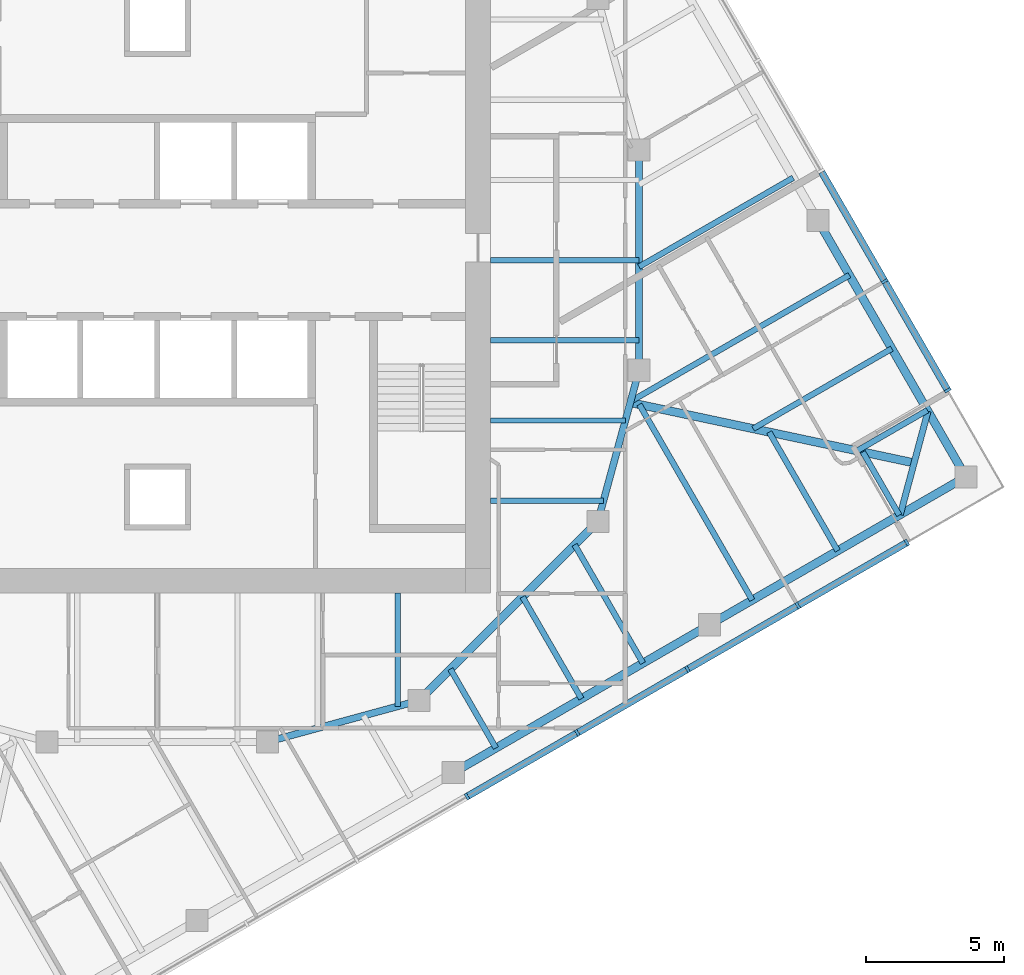
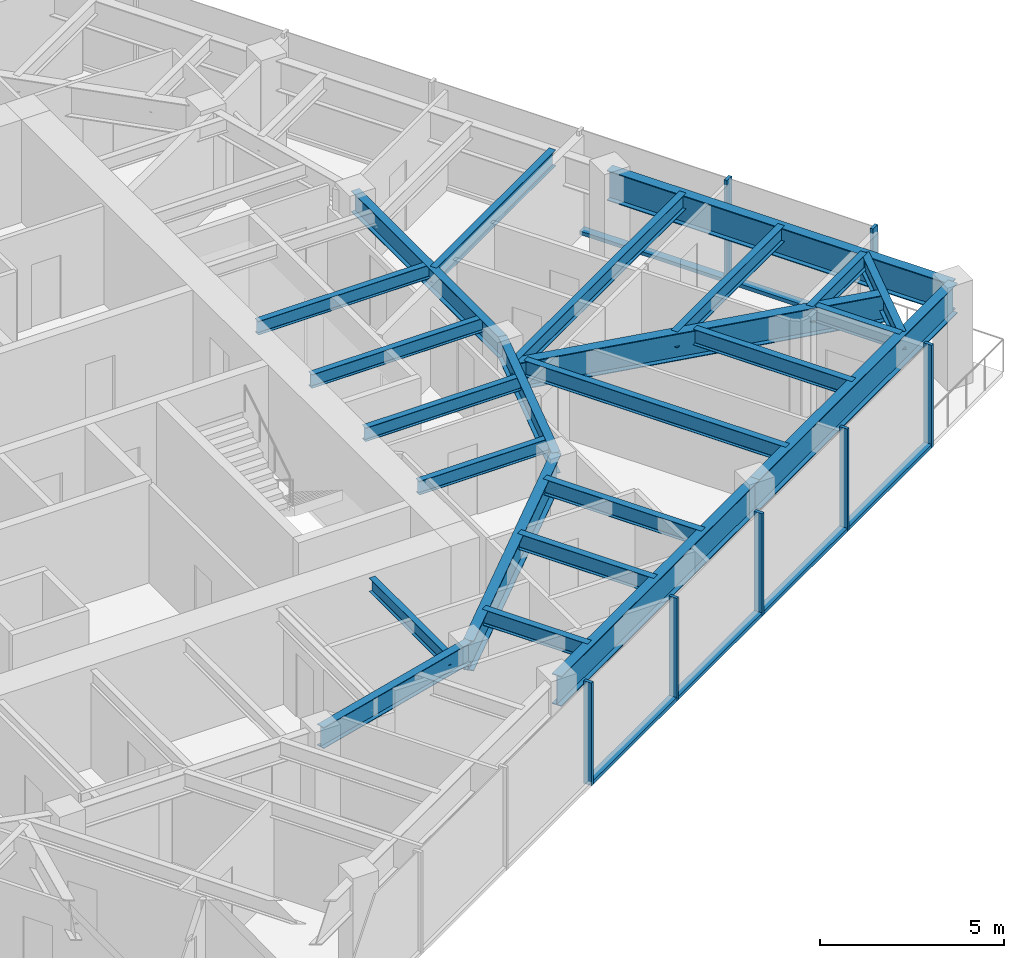
# One storey, part 3 of 13: 24 beams, 13 members, 2 elements without a shape of their own.
"""IFC4 building model written with IfcOpenShell, lengths in metres."""

from ifc_helpers import new_model, si_unit, direction, frame, origin, origin_2d, place, context, subcontext, project, spatial, rectangle, i_section, extrude, material, material_profile, profile_set, type_object, element, aggregate, save


model = new_model("IFC4")

# Units and contexts
model_context = context("Model", 3, precision=1e-05, world=origin(), true_north=direction((0.0, 1.0)))
body_context = subcontext(model_context, "Body", "Model", "MODEL_VIEW")
ifc_project = project(units=[si_unit("LENGTHUNIT", "METRE"), si_unit("AREAUNIT", "SQUARE_METRE"), si_unit("VOLUMEUNIT", "CUBIC_METRE"), si_unit("PLANEANGLEUNIT", "RADIAN"), si_unit("MASSUNIT", "GRAM", prefix="KILO")], contexts=[model_context])

# Site, building, storey
site_placement = place(None, origin())
site = spatial("IfcSite", under=ifc_project, at=site_placement, CompositionType="ELEMENT")
building_placement = place(site_placement, origin())
building = spatial("IfcBuilding", under=site, at=building_placement, Name="Torsade Residences", CompositionType="ELEMENT")
storey_placement = place(building_placement, frame((0.0, 0.0, 208.199951171875)))
storey = spatial("IfcBuildingStorey", under=building, at=storey_placement, Name="L57", CompositionType="ELEMENT", Elevation=208.199951171875)

# Beams
ifc_material_1 = material(Name="Steel grade 300", Category="steel")
ifc_material_profile_1 = material_profile(ifc_material_1, i_section(OverallWidth=0.300048828125, OverallDepth=0.89990234375, WebThickness=0.011962890625, FlangeThickness=0.02490234375, at=origin_2d()), Name="900WB175")
ifc_profile_set_1 = profile_set([ifc_material_profile_1], Name="Steel grade 300")
beam_type_1 = type_object("IfcBeamType", Name="CORNER GIRDER 900WB175", PredefinedType="BEAM", material=ifc_profile_set_1)
beam_1_placement = place(storey_placement, frame((67.4912109375, 22.6337890625, 2.800048828125), z_axis=(-0.978115155685, 0.20806427425, 0.0), x_axis=(-0.20806427425, -0.978115155685, 0.0)))
element("IfcBeam", 1, at=beam_1_placement, inside=storey, type_object=beam_type_1, Name="Corner girder 05 L58", PredefinedType="BEAM", context=body_context, shape_type="SweptSolid", body=[
    extrude(i_section(OverallWidth=0.300048828125, OverallDepth=0.89990234375, WebThickness=0.011962890625, FlangeThickness=0.02490234375, at=origin_2d()), origin(), (0.0, 0.0, 1.0), 10.541748046875),
])
ifc_material_2 = material(Name="Steel grade 300", Category="steel")
ifc_material_profile_2 = material_profile(ifc_material_2, i_section(OverallWidth=0.22802734375, OverallDepth=0.60205078125, WebThickness=0.010498046875, FlangeThickness=0.014892578125, FilletRadius=0.013916015625, at=origin_2d()), Name="610UB101")
ifc_profile_set_2 = profile_set([ifc_material_profile_2], Name="Steel grade 300")
beam_type_2 = type_object("IfcBeamType", Name="CORNER TRIMMER 610UB101", PredefinedType="BEAM", material=ifc_profile_set_2)
beam_2_placement = place(storey_placement, frame((67.99462890625, 24.511962890625, 2.948974609375), z_axis=(-0.258822897619, -0.965924794002, 0.0), x_axis=(0.965924794002, -0.258822897619, 0.0)))
element("IfcBeam", 2, at=beam_2_placement, inside=storey, type_object=beam_type_2, Name="Corner trimmer 05 L58", PredefinedType="BEAM", context=body_context, shape_type="SweptSolid", body=[
    extrude(i_section(OverallWidth=0.22802734375, OverallDepth=0.60205078125, WebThickness=0.010498046875, FlangeThickness=0.014892578125, FilletRadius=0.013916015625, at=origin_2d()), origin(), (0.0, 0.0, 1.0), 3.88916015625),
])
ifc_material_3 = material(Name="Steel grade 300", Category="steel")
ifc_material_profile_3 = material_profile(ifc_material_3, i_section(OverallWidth=0.300048828125, OverallDepth=1.0, WebThickness=0.01611328125, FlangeThickness=0.028076171875, at=origin_2d()), Name="1000WB215")
ifc_profile_set_3 = profile_set([ifc_material_profile_3], Name="Steel grade 300")
beam_type_3 = type_object("IfcBeamType", Name="EDGE BEAM 1000WB215", PredefinedType="SPANDREL", material=ifc_profile_set_3)
for number, where, z_axis, x_axis, name in (
    (3, (50.75, 11.38037109375, 2.75), (0.866026365697, 0.499998333915, 0.0), (-0.499998333915, 0.866026365697, 0.0), "Edge beam 03 L58"),
    (4, (60.059814453125, 16.75537109375, 2.75), (0.866026365697, 0.499998333915, 0.0), (-0.499998333915, 0.866026365697, 0.0), "Edge beam 04 L58"),
    (5, (69.36962890625, 22.13037109375, 2.75), (-0.499998333915, 0.866026365697, 0.0), (-0.866026365697, -0.499998333915, 0.0), "Edge beam 05 L58"),
):
    element("IfcBeam", number, at=place(storey_placement, frame(where, z_axis=z_axis, x_axis=x_axis)), inside=storey, type_object=beam_type_3, Name=name, PredefinedType="SPANDREL", context=body_context, shape_type="SweptSolid", body=[
        extrude(i_section(OverallWidth=0.300048828125, OverallDepth=1.0, WebThickness=0.01611328125, FlangeThickness=0.028076171875, at=origin_2d()), origin(), (0.0, 0.0, 1.0), 10.75),
    ])

# Curtain wall, members
ifc_material_4 = material(Name="Aluminium and glass", Category="aluminium")
curtain_wall_type = type_object("IfcCurtainWallType", Name="FRITTED GLASS CURTAIN WALL HIGH ZONE", PredefinedType="NOTDEFINED", material=ifc_material_4)
curtain_wall_1_placement = place(storey_placement, origin())
curtain_wall_1 = element("IfcCurtainWall", 6, at=curtain_wall_1_placement, inside=storey, type_object=curtain_wall_type, Name="Curtain wall L57 face 1", PredefinedType="NOTDEFINED")
ifc_material_5 = material(Name="Aluminium mullion", Category="aluminium")
ifc_material_profile_4 = material_profile(ifc_material_5, rectangle(XDim=0.25, YDim=0.10009765625, at=origin_2d()), Name="HIGH ZONE CURTAIN WALL MULLION 250x100")
ifc_profile_set_4 = profile_set([ifc_material_profile_4], Name="Aluminium mullion")
member_type_1 = type_object("IfcMemberType", Name="HIGH ZONE CURTAIN WALL MULLION 250x100", PredefinedType="MULLION", material=ifc_profile_set_4)
member_1_placement = place(storey_placement, frame((51.25, 10.514404296875, 0.0), z_axis=(0.0, 0.0, 1.0), x_axis=(-0.499999999305, 0.866025404186, 0.0)))
member_1 = element("IfcMember", 7, at=member_1_placement, type_object=member_type_1, Name="Mullion 5", PredefinedType="MULLION", context=body_context, shape_type="SweptSolid", body=[
    extrude(rectangle(XDim=0.25, YDim=0.10009765625, at=origin_2d()), origin(), (0.0, 0.0, 1.0), 3.400146484375),
])
member_2_placement = place(storey_placement, frame((55.25537109375, 12.826904296875, 0.0), z_axis=(0.0, 0.0, 1.0), x_axis=(-0.499999999305, 0.866025404186, 0.0)))
member_2 = element("IfcMember", 8, at=member_2_placement, type_object=member_type_1, Name="Mullion 6", PredefinedType="MULLION", context=body_context, shape_type="SweptSolid", body=[
    extrude(rectangle(XDim=0.25, YDim=0.10009765625, at=origin_2d()), origin(), (0.0, 0.0, 1.0), 3.400146484375),
])
member_3_placement = place(storey_placement, frame((59.2607421875, 15.139404296875, 0.0), z_axis=(0.0, 0.0, 1.0), x_axis=(-0.499999999305, 0.866025404186, 0.0)))
member_3 = element("IfcMember", 9, at=member_3_placement, type_object=member_type_1, Name="Mullion 7", PredefinedType="MULLION", context=body_context, shape_type="SweptSolid", body=[
    extrude(rectangle(XDim=0.25, YDim=0.10009765625, at=origin_2d()), origin(), (0.0, 0.0, 1.0), 3.400146484375),
])
member_4_placement = place(storey_placement, frame((63.26611328125, 17.451904296875, 0.0), z_axis=(0.0, 0.0, 1.0), x_axis=(-0.499999999305, 0.866025404186, 0.0)))
member_4 = element("IfcMember", 10, at=member_4_placement, type_object=member_type_1, Name="Mullion 8", PredefinedType="MULLION", context=body_context, shape_type="SweptSolid", body=[
    extrude(rectangle(XDim=0.25, YDim=0.10009765625, at=origin_2d()), origin(), (0.0, 0.0, 1.0), 3.400146484375),
])
member_5_placement = place(storey_placement, frame((67.228271484375, 19.739501953125, 0.0), z_axis=(0.0, 0.0, 1.0), x_axis=(-0.499999999305, 0.866025404186, 0.0)))
member_5 = element("IfcMember", 11, at=member_5_placement, type_object=member_type_1, Name="Mullion 9", PredefinedType="MULLION", context=body_context, shape_type="SweptSolid", body=[
    extrude(rectangle(XDim=0.25, YDim=0.10009765625, at=origin_2d()), origin(), (0.0, 0.0, 1.0), 3.400146484375),
])

curtain_wall_2_placement = place(storey_placement, origin())
curtain_wall_2 = element("IfcCurtainWall", 12, at=curtain_wall_2_placement, inside=storey, type_object=curtain_wall_type, Name="Curtain wall L57 face 4", PredefinedType="NOTDEFINED")
member_6_placement = place(storey_placement, frame((68.710693359375, 25.271728515625, 0.0), z_axis=(0.0, 0.0, 1.0), x_axis=(-0.866025404186, -0.499999999305, 0.0)))
member_6 = element("IfcMember", 13, at=member_6_placement, type_object=member_type_1, Name="Mullion 1", PredefinedType="MULLION", context=body_context, shape_type="SweptSolid", body=[
    extrude(rectangle(XDim=0.25, YDim=0.10009765625, at=origin_2d()), origin(), (0.0, 0.0, 1.0), 3.400146484375),
])
member_7_placement = place(storey_placement, frame((66.423095703125, 29.23388671875, 0.0), z_axis=(0.0, 0.0, 1.0), x_axis=(-0.866025404186, -0.499999999305, 0.0)))
member_7 = element("IfcMember", 14, at=member_7_placement, type_object=member_type_1, Name="Mullion 2", PredefinedType="MULLION", context=body_context, shape_type="SweptSolid", body=[
    extrude(rectangle(XDim=0.25, YDim=0.10009765625, at=origin_2d()), origin(), (0.0, 0.0, 1.0), 3.400146484375),
])

# Member
ifc_material_6 = material(Name="Aluminium transom", Category="aluminium")
ifc_material_profile_5 = material_profile(ifc_material_6, rectangle(XDim=0.25, YDim=0.1201171875, at=origin_2d()), Name="HIGH ZONE CURTAIN WALL TRANSOM 250x120")
ifc_profile_set_5 = profile_set([ifc_material_profile_5], Name="Aluminium transom")
member_type_2 = type_object("IfcMemberType", Name="HIGH ZONE CURTAIN WALL TRANSOM 250x120", PredefinedType="USERDEFINED", material=ifc_profile_set_5)
member_8_placement = place(storey_placement, frame((51.293212890625, 10.539306640625, 0.06005859375), z_axis=(0.866016678684, 0.500015112013, 0.0), x_axis=(-0.500015112013, 0.866016678684, 0.0)))
member_8 = element("IfcMember", 15, at=member_8_placement, type_object=member_type_2, Name="Transom 5.1", ObjectType="TRANSOM", PredefinedType="USERDEFINED", context=body_context, shape_type="SweptSolid", body=[
    extrude(rectangle(XDim=0.25, YDim=0.1201171875, at=origin_2d()), origin(), (0.0, 0.0, 1.0), 4.525146484375),
])

member_9_placement = place(storey_placement, frame((55.298583984375, 12.851806640625, 0.06005859375), z_axis=(0.866016678684, 0.500015112013, 0.0), x_axis=(-0.500015112013, 0.866016678684, 0.0)))
member_9 = element("IfcMember", 16, at=member_9_placement, type_object=member_type_2, Name="Transom 6.1", ObjectType="TRANSOM", PredefinedType="USERDEFINED", context=body_context, shape_type="SweptSolid", body=[
    extrude(rectangle(XDim=0.25, YDim=0.1201171875, at=origin_2d()), origin(), (0.0, 0.0, 1.0), 4.525146484375),
])

member_10_placement = place(storey_placement, frame((59.303955078125, 15.164306640625, 0.06005859375), z_axis=(0.866016678684, 0.500015112013, 0.0), x_axis=(-0.500015112013, 0.866016678684, 0.0)))
member_10 = element("IfcMember", 17, at=member_10_placement, type_object=member_type_2, Name="Transom 7.1", ObjectType="TRANSOM", PredefinedType="USERDEFINED", context=body_context, shape_type="SweptSolid", body=[
    extrude(rectangle(XDim=0.25, YDim=0.1201171875, at=origin_2d()), origin(), (0.0, 0.0, 1.0), 4.525146484375),
])

member_11_placement = place(storey_placement, frame((63.309326171875, 17.476806640625, 0.06005859375), z_axis=(0.866022053326, 0.50000580312, 0.0), x_axis=(-0.50000580312, 0.866022053326, 0.0)))
member_11 = element("IfcMember", 18, at=member_11_placement, type_object=member_type_2, Name="Transom 8.1", ObjectType="TRANSOM", PredefinedType="USERDEFINED", context=body_context, shape_type="SweptSolid", body=[
    extrude(rectangle(XDim=0.25, YDim=0.1201171875, at=origin_2d()), origin(), (0.0, 0.0, 1.0), 4.47509765625),
])

aggregate(curtain_wall_1, [member_1, member_2, member_3, member_4, member_5, member_8, member_9, member_10, member_11])

member_12_placement = place(storey_placement, frame((68.685546875, 25.315185546875, 0.06005859375), z_axis=(-0.50000580312, 0.866022053326, 0.0), x_axis=(-0.866022053326, -0.50000580312, 0.0)))
member_12 = element("IfcMember", 19, at=member_12_placement, type_object=member_type_2, Name="Transom 1.1", ObjectType="TRANSOM", PredefinedType="USERDEFINED", context=body_context, shape_type="SweptSolid", body=[
    extrude(rectangle(XDim=0.25, YDim=0.1201171875, at=origin_2d()), origin(), (0.0, 0.0, 1.0), 4.47509765625),
])

member_13_placement = place(storey_placement, frame((66.398193359375, 29.277099609375, 0.06005859375), z_axis=(-0.500015112013, 0.866016678684, 0.0), x_axis=(-0.866016678684, -0.500015112013, 0.0)))
member_13 = element("IfcMember", 20, at=member_13_placement, type_object=member_type_2, Name="Transom 2.1", ObjectType="TRANSOM", PredefinedType="USERDEFINED", context=body_context, shape_type="SweptSolid", body=[
    extrude(rectangle(XDim=0.25, YDim=0.1201171875, at=origin_2d()), origin(), (0.0, 0.0, 1.0), 4.525146484375),
])

aggregate(curtain_wall_2, [member_6, member_7, member_12, member_13])

# Beams
ifc_material_7 = material(Name="Steel grade 300", Category="steel")
ifc_material_profile_6 = material_profile(ifc_material_7, i_section(OverallWidth=0.18994140625, OverallDepth=0.4541015625, WebThickness=0.008544921875, FlangeThickness=0.0126953125, FilletRadius=0.011474609375, at=origin_2d()), Name="460UB67.1")
ifc_profile_set_6 = profile_set([ifc_material_profile_6], Name="Steel grade 300")
beam_type_4 = type_object("IfcBeamType", Name="INNER FLOOR BEAM 460UB67.1", PredefinedType="JOIST", material=ifc_profile_set_6)
for number, where, z_axis, x_axis, name in (
    (21, (48.737548828125, 17.89990234375, 3.02294921875), (0.0, -1.0, 0.0), (1.0, 0.0, 0.0), "Inner floor beam IS01 L58"),
    (22, (52.10009765625, 21.262451171875, 3.02294921875), (1.0, 0.0, 0.0), (0.0, 1.0, 0.0), "Inner floor beam IE01 L58"),
):
    element("IfcBeam", number, at=place(storey_placement, frame(where, z_axis=z_axis, x_axis=x_axis)), inside=storey, type_object=beam_type_4, Name=name, PredefinedType="JOIST", context=body_context, shape_type="SweptSolid", body=[
        extrude(i_section(OverallWidth=0.18994140625, OverallDepth=0.4541015625, WebThickness=0.008544921875, FlangeThickness=0.0126953125, FilletRadius=0.011474609375, at=origin_2d()), origin(), (0.0, 0.0, 1.0), 4.10791015625),
    ])
beam_3_placement = place(storey_placement, frame((52.10009765625, 24.175048828125, 3.02294921875), z_axis=(1.0, 0.0, 0.0), x_axis=(0.0, 1.0, 0.0)))
element("IfcBeam", 23, at=beam_3_placement, inside=storey, type_object=beam_type_4, Name="Inner floor beam IE02 L58", PredefinedType="JOIST", context=body_context, shape_type="SweptSolid", body=[
    extrude(i_section(OverallWidth=0.18994140625, OverallDepth=0.4541015625, WebThickness=0.008544921875, FlangeThickness=0.0126953125, FilletRadius=0.011474609375, at=origin_2d()), origin(), (0.0, 0.0, 1.0), 4.902099609375),
])
for number, where, z_axis, x_axis, name in (
    (24, (52.10009765625, 27.08740234375, 3.02294921875), (1.0, 0.0, 0.0), (0.0, 1.0, 0.0), "Inner floor beam IE03 L58"),
    (25, (52.10009765625, 30.0, 3.02294921875), (1.0, 0.0, 0.0), (0.0, 1.0, 0.0), "Inner floor beam IE04 L58"),
):
    element("IfcBeam", number, at=place(storey_placement, frame(where, z_axis=z_axis, x_axis=x_axis)), inside=storey, type_object=beam_type_4, Name=name, PredefinedType="JOIST", context=body_context, shape_type="SweptSolid", body=[
        extrude(i_section(OverallWidth=0.18994140625, OverallDepth=0.4541015625, WebThickness=0.008544921875, FlangeThickness=0.0126953125, FilletRadius=0.011474609375, at=origin_2d()), origin(), (0.0, 0.0, 1.0), 5.39990234375),
    ])
ifc_material_8 = material(Name="Steel grade 300", Category="steel")
ifc_material_profile_7 = material_profile(ifc_material_8, i_section(OverallWidth=0.300048828125, OverallDepth=1.0, WebThickness=0.01611328125, FlangeThickness=0.028076171875, at=origin_2d()), Name="1000WB215")
ifc_profile_set_7 = profile_set([ifc_material_profile_7], Name="Steel grade 300")
beam_type_5 = type_object("IfcBeamType", Name="RING CORNER GIRDER 1000WB215", PredefinedType="BEAM", material=ifc_profile_set_7)
beam_4_placement = place(storey_placement, frame((49.5, 14.0, 2.75), z_axis=(0.707106781187, 0.707106781187, 0.0), x_axis=(-0.707106781187, 0.707106781187, 0.0)))
element("IfcBeam", 26, at=beam_4_placement, inside=storey, type_object=beam_type_5, Name="Ring girder IR15 L58", PredefinedType="BEAM", context=body_context, shape_type="SweptSolid", body=[
    extrude(i_section(OverallWidth=0.300048828125, OverallDepth=1.0, WebThickness=0.01611328125, FlangeThickness=0.028076171875, at=origin_2d()), origin(), (0.0, 0.0, 1.0), 9.1923828125),
])
ifc_material_9 = material(Name="Steel grade 300", Category="steel")
ifc_material_profile_8 = material_profile(ifc_material_9, i_section(OverallWidth=0.25, OverallDepth=0.699951171875, WebThickness=0.010009765625, FlangeThickness=0.02001953125, at=origin_2d()), Name="700WB130")
ifc_profile_set_8 = profile_set([ifc_material_profile_8], Name="Steel grade 300")
beam_type_6 = type_object("IfcBeamType", Name="RING GIRDER 700WB130", PredefinedType="BEAM", material=ifc_profile_set_8)
beam_5_placement = place(storey_placement, frame((57.5, 26.0, 2.900146484375), z_axis=(0.0, 1.0, 0.0), x_axis=(-1.0, 0.0, 0.0)))
element("IfcBeam", 27, at=beam_5_placement, inside=storey, type_object=beam_type_6, Name="Ring girder IR01 L58", PredefinedType="BEAM", context=body_context, shape_type="SweptSolid", body=[
    extrude(i_section(OverallWidth=0.25, OverallDepth=0.699951171875, WebThickness=0.010009765625, FlangeThickness=0.02001953125, at=origin_2d()), origin(), (0.0, 0.0, 1.0), 8.0),
])
for number, where, z_axis, x_axis, name in (
    (28, (44.0, 12.5, 2.900146484375), (0.964763821238, 0.263117405792, 0.0), (-0.263117405792, 0.964763821238, 0.0), "Ring girder IR14 L58"),
    (29, (56.0, 20.5, 2.900146484375), (0.263117405792, 0.964763821238, 0.0), (-0.964763821238, 0.263117405792, 0.0), "Ring girder IR16 L58"),
):
    element("IfcBeam", number, at=place(storey_placement, frame(where, z_axis=z_axis, x_axis=x_axis)), inside=storey, type_object=beam_type_6, Name=name, PredefinedType="BEAM", context=body_context, shape_type="SweptSolid", body=[
        extrude(i_section(OverallWidth=0.25, OverallDepth=0.699951171875, WebThickness=0.010009765625, FlangeThickness=0.02001953125, at=origin_2d()), origin(), (0.0, 0.0, 1.0), 5.700927734375),
    ])
ifc_material_10 = material(Name="Steel grade 300", Category="steel")
ifc_material_profile_9 = material_profile(ifc_material_10, i_section(OverallWidth=0.208984375, OverallDepth=0.528076171875, WebThickness=0.009521484375, FlangeThickness=0.01318359375, FilletRadius=0.013916015625, at=origin_2d()), Name="530UB82.0")
ifc_profile_set_9 = profile_set([ifc_material_profile_9], Name="Steel grade 300")
beam_type_7 = type_object("IfcBeamType", Name="SECONDARY BEAM 530UB82.0", PredefinedType="JOIST", material=ifc_profile_set_9)
beam_6_placement = place(storey_placement, frame((52.301513671875, 12.2763671875, 2.986083984375), z_axis=(-0.499975512502, 0.866039541186, 0.0), x_axis=(-0.866039541186, -0.499975512502, 0.0)))
element("IfcBeam", 30, at=beam_6_placement, inside=storey, type_object=beam_type_7, Name="Floor beam FS07 L58", PredefinedType="JOIST", context=body_context, shape_type="SweptSolid", body=[
    extrude(i_section(OverallWidth=0.208984375, OverallDepth=0.528076171875, WebThickness=0.009521484375, FlangeThickness=0.01318359375, FilletRadius=0.013916015625, at=origin_2d()), origin(), (0.0, 0.0, 1.0), 3.312744140625),
])
beam_7_placement = place(storey_placement, frame((55.40478515625, 14.06787109375, 2.986083984375), z_axis=(-0.500004369671, 0.866022880939, 0.0), x_axis=(-0.866022880939, -0.500004369671, 0.0)))
element("IfcBeam", 31, at=beam_7_placement, inside=storey, type_object=beam_type_7, Name="Floor beam FS08 L58", PredefinedType="JOIST", context=body_context, shape_type="SweptSolid", body=[
    extrude(i_section(OverallWidth=0.208984375, OverallDepth=0.528076171875, WebThickness=0.009521484375, FlangeThickness=0.01318359375, FilletRadius=0.013916015625, at=origin_2d()), origin(), (0.0, 0.0, 1.0), 4.27294921875),
])
beam_8_placement = place(storey_placement, frame((57.64208984375, 15.359619140625, 2.986083984375), z_axis=(-0.49996790502, 0.866043933037, 0.0), x_axis=(-0.866043933037, -0.49996790502, 0.0)))
element("IfcBeam", 32, at=beam_8_placement, inside=storey, type_object=beam_type_7, Name="Floor beam FS09 L58", PredefinedType="JOIST", context=body_context, shape_type="SweptSolid", body=[
    extrude(i_section(OverallWidth=0.208984375, OverallDepth=0.528076171875, WebThickness=0.009521484375, FlangeThickness=0.01318359375, FilletRadius=0.013916015625, at=origin_2d()), origin(), (0.0, 0.0, 1.0), 4.965087890625),
])
beam_9_placement = place(storey_placement, frame((61.611328125, 17.6513671875, 2.986083984375), z_axis=(-0.499992034702, 0.866030002502, 0.0), x_axis=(-0.866030002502, -0.499992034702, 0.0)))
element("IfcBeam", 33, at=beam_9_placement, inside=storey, type_object=beam_type_7, Name="Floor beam FS10 L58", PredefinedType="JOIST", context=body_context, shape_type="SweptSolid", body=[
    extrude(i_section(OverallWidth=0.208984375, OverallDepth=0.528076171875, WebThickness=0.009521484375, FlangeThickness=0.01318359375, FilletRadius=0.013916015625, at=origin_2d()), origin(), (0.0, 0.0, 1.0), 8.205322265625),
])
beam_10_placement = place(storey_placement, frame((64.714599609375, 19.44287109375, 2.986083984375), z_axis=(-0.499968694491, 0.866043477274, 0.0), x_axis=(-0.866043477274, -0.499968694491, 0.0)))
element("IfcBeam", 34, at=beam_10_placement, inside=storey, type_object=beam_type_7, Name="Floor beam FS11 L58", PredefinedType="JOIST", context=body_context, shape_type="SweptSolid", body=[
    extrude(i_section(OverallWidth=0.208984375, OverallDepth=0.528076171875, WebThickness=0.009521484375, FlangeThickness=0.01318359375, FilletRadius=0.013916015625, at=origin_2d()), origin(), (0.0, 0.0, 1.0), 4.977783203125),
])
beam_11_placement = place(storey_placement, frame((66.951904296875, 20.734619140625, 2.986083984375), z_axis=(-0.499972238474, 0.866041431316, 0.0), x_axis=(-0.866041431316, -0.499972238474, 0.0)))
element("IfcBeam", 35, at=beam_11_placement, inside=storey, type_object=beam_type_7, Name="Floor beam FS12 L58", PredefinedType="JOIST", context=body_context, shape_type="SweptSolid", body=[
    extrude(i_section(OverallWidth=0.208984375, OverallDepth=0.528076171875, WebThickness=0.009521484375, FlangeThickness=0.01318359375, FilletRadius=0.013916015625, at=origin_2d()), origin(), (0.0, 0.0, 1.0), 2.651123046875),
])
beam_12_placement = place(storey_placement, frame((67.9736328125, 24.548095703125, 2.986083984375), z_axis=(-0.866017313224, -0.500014013, 0.0), x_axis=(0.500014013, -0.866017313224, 0.0)))
element("IfcBeam", 36, at=beam_12_placement, inside=storey, type_object=beam_type_7, Name="Floor beam FE01 L58", PredefinedType="JOIST", context=body_context, shape_type="SweptSolid", body=[
    extrude(i_section(OverallWidth=0.208984375, OverallDepth=0.528076171875, WebThickness=0.009521484375, FlangeThickness=0.01318359375, FilletRadius=0.013916015625, at=origin_2d()), origin(), (0.0, 0.0, 1.0), 2.94775390625),
])
beam_13_placement = place(storey_placement, frame((66.68212890625, 26.785400390625, 2.986083984375), z_axis=(-0.866031100357, -0.499990133118, 0.0), x_axis=(0.499990133118, -0.866031100357, 0.0)))
element("IfcBeam", 37, at=beam_13_placement, inside=storey, type_object=beam_type_7, Name="Floor beam FE02 L58", PredefinedType="JOIST", context=body_context, shape_type="SweptSolid", body=[
    extrude(i_section(OverallWidth=0.208984375, OverallDepth=0.528076171875, WebThickness=0.009521484375, FlangeThickness=0.01318359375, FilletRadius=0.013916015625, at=origin_2d()), origin(), (0.0, 0.0, 1.0), 5.81591796875),
])
beam_14_placement = place(storey_placement, frame((65.140380859375, 29.45556640625, 2.986083984375), z_axis=(-0.866021712342, -0.500006393711, 0.0), x_axis=(0.500006393711, -0.866021712342, 0.0)))
element("IfcBeam", 38, at=beam_14_placement, inside=storey, type_object=beam_type_7, Name="Floor beam FE03 L58", PredefinedType="JOIST", context=body_context, shape_type="SweptSolid", body=[
    extrude(i_section(OverallWidth=0.208984375, OverallDepth=0.528076171875, WebThickness=0.009521484375, FlangeThickness=0.01318359375, FilletRadius=0.013916015625, at=origin_2d()), origin(), (0.0, 0.0, 1.0), 9.1796875),
])
beam_15_placement = place(storey_placement, frame((63.0986328125, 32.991943359375, 2.986083984375), z_axis=(-0.866022073929, -0.500005767435, 0.0), x_axis=(0.500005767435, -0.866022073929, 0.0)))
element("IfcBeam", 39, at=beam_15_placement, inside=storey, type_object=beam_type_7, Name="Floor beam FE04 L58", PredefinedType="JOIST", context=body_context, shape_type="SweptSolid", body=[
    extrude(i_section(OverallWidth=0.208984375, OverallDepth=0.528076171875, WebThickness=0.009521484375, FlangeThickness=0.01318359375, FilletRadius=0.013916015625, at=origin_2d()), origin(), (0.0, 0.0, 1.0), 6.46484375),
])

save(model, "model.ifc")
